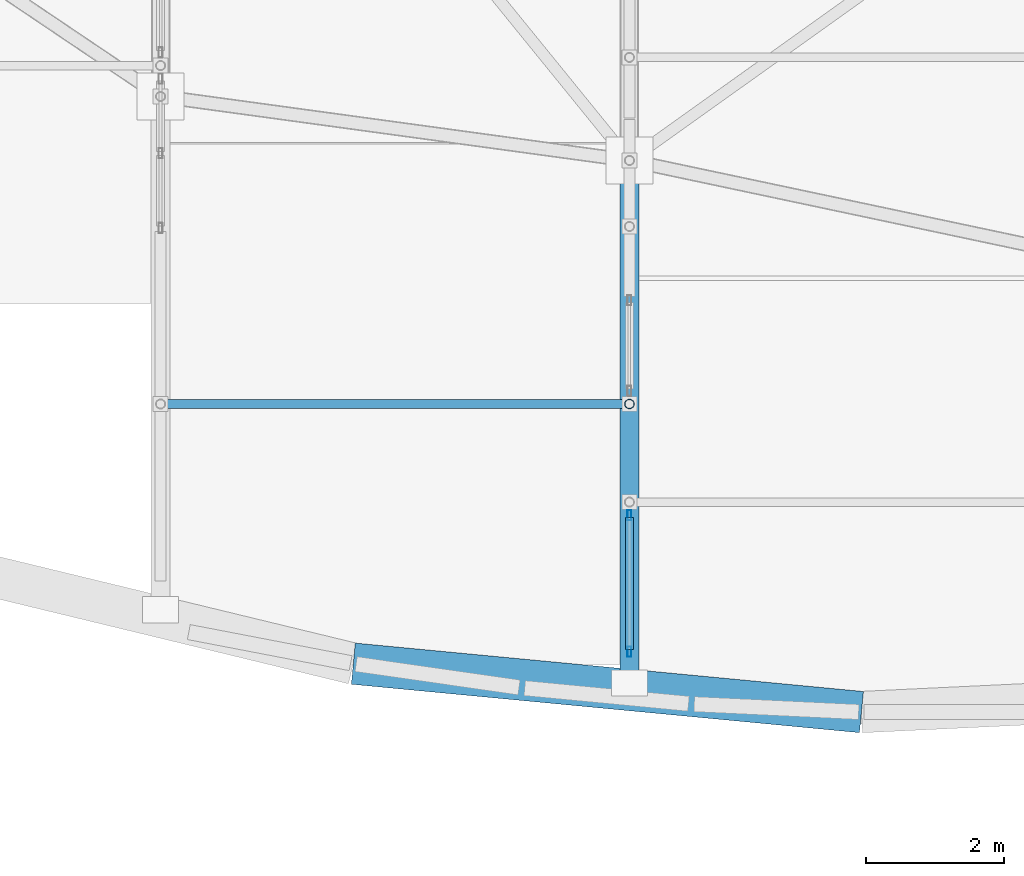
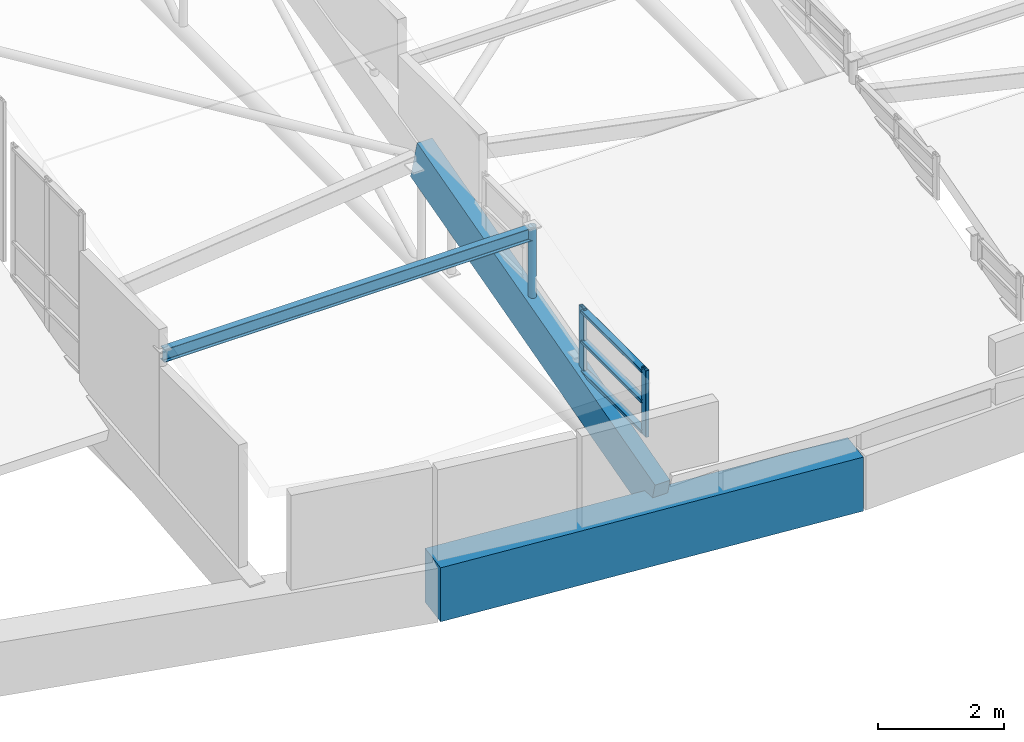
# One storey, part 5 of 188: 8 members, 1 beam, 1 element without a shape of its own.
"""IFC4 building model written with IfcOpenShell, lengths in metres."""

from ifc_helpers import new_model, si_unit, direction, frame, origin, origin_2d, place, context, subcontext, project, spatial, rectangle, hollow_rectangle, hollow_circle, i_section, extrude, material, layer, layer_set, material_profile, profile_set, type_object, element, aggregate, save


model = new_model("IFC4")

# Units and contexts
model_context = context("Model", 3, precision=1e-05, world=origin(), true_north=direction((0.0, 1.0)))
body_context = subcontext(model_context, "Body", "Model", "MODEL_VIEW")
ifc_project = project(units=[si_unit("LENGTHUNIT", "METRE"), si_unit("AREAUNIT", "SQUARE_METRE"), si_unit("VOLUMEUNIT", "CUBIC_METRE"), si_unit("PLANEANGLEUNIT", "RADIAN"), si_unit("MASSUNIT", "GRAM", prefix="KILO")], contexts=[model_context])

# Site, building, storey
site_placement = place(None, origin())
site = spatial("IfcSite", under=ifc_project, at=site_placement, CompositionType="ELEMENT")
building_placement = place(site_placement, origin())
building = spatial("IfcBuilding", under=site, at=building_placement, Name="Kisaragi Civic Commons", CompositionType="ELEMENT")
storey_placement = place(building_placement, frame((0.0, 0.0, 9.60009765625)))
storey = spatial("IfcBuildingStorey", under=building, at=storey_placement, Name="L02", CompositionType="ELEMENT", Elevation=9.60009765625)

# Curtain wall, members
ifc_material_1 = material(Name="Thermally broken anodized aluminium and low-E double glazing", Category="aluminium")
ifc_layer = layer(ifc_material_1, 0.14990234375, Name="Thermally broken anodized aluminium and low-E double glazing", Category="aluminium")
ifc_layer_set = layer_set([ifc_layer], Name="Thermally broken anodized aluminium and low-E double glazing")
curtain_wall_type = type_object("IfcCurtainWallType", Name="CW-03", PredefinedType="NOTDEFINED", material=ifc_layer_set)
curtain_wall_placement = place(storey_placement, origin())
curtain_wall = element("IfcCurtainWall", 1, at=curtain_wall_placement, inside=storey, type_object=curtain_wall_type, Name="L02 curtain wall CW-03 CW-CL-V1-153", PredefinedType="NOTDEFINED")
ifc_material_profile_1 = material_profile(ifc_material_1, hollow_rectangle(XDim=0.06005859375, YDim=0.14990234375, WallThickness=0.00390625, InnerFilletRadius=0.00390625, OuterFilletRadius=0.008056640625, at=origin_2d()), Name="CWM-60x150x4", Category="aluminium")
ifc_profile_set_1 = profile_set([ifc_material_profile_1], Name="Thermally broken anodized aluminium and low-E double glazing")
member_type_1 = type_object("IfcMemberType", Name="CWM-01", PredefinedType="MULLION", material=ifc_profile_set_1)
member_1_placement = place(storey_placement, frame((20.39990234375, 2.2314453125, 0.568115234375), z_axis=(0.0, 0.0, 1.0), x_axis=(-1.0, 0.0, 0.0)))
member_1 = element("IfcMember", 2, at=member_1_placement, type_object=member_type_1, Name="CW-03 mullion 1", PredefinedType="MULLION", context=body_context, shape_type="SweptSolid", body=[
    extrude(hollow_rectangle(XDim=0.06005859375, YDim=0.14990234375, WallThickness=0.00390625, InnerFilletRadius=0.00390625, OuterFilletRadius=0.008056640625, at=origin_2d()), origin(), (0.0, 0.0, 1.0), 1.2939453125),
])
member_2_placement = place(storey_placement, frame((20.39990234375, 4.211181640625, 0.568115234375), z_axis=(0.0, 0.0, 1.0), x_axis=(-1.0, 0.0, 0.0)))
member_2 = element("IfcMember", 3, at=member_2_placement, type_object=member_type_1, Name="CW-03 mullion 2", PredefinedType="MULLION", context=body_context, shape_type="SweptSolid", body=[
    extrude(hollow_rectangle(XDim=0.06005859375, YDim=0.14990234375, WallThickness=0.00390625, InnerFilletRadius=0.00390625, OuterFilletRadius=0.008056640625, at=origin_2d()), origin(), (0.0, 0.0, 1.0), 1.2939453125),
])
ifc_material_profile_2 = material_profile(ifc_material_1, hollow_rectangle(XDim=0.1201171875, YDim=0.06005859375, WallThickness=0.00390625, InnerFilletRadius=0.00390625, OuterFilletRadius=0.008056640625, at=origin_2d()), Name="CWT-60x120x4", Category="aluminium")
ifc_profile_set_2 = profile_set([ifc_material_profile_2], Name="Thermally broken anodized aluminium and low-E double glazing")
member_type_2 = type_object("IfcMemberType", Name="CWT-01", PredefinedType="USERDEFINED", material=ifc_profile_set_2)
member_3_placement = place(storey_placement, frame((20.39990234375, 2.261474609375, 0.628173828125), z_axis=(0.0, 1.0, 0.0), x_axis=(-1.0, 0.0, 0.0)))
member_3 = element("IfcMember", 4, at=member_3_placement, type_object=member_type_2, Name="CW-03 transom 1.1", ObjectType="TRANSOM", PredefinedType="USERDEFINED", context=body_context, shape_type="SweptSolid", body=[
    extrude(hollow_rectangle(XDim=0.1201171875, YDim=0.06005859375, WallThickness=0.00390625, InnerFilletRadius=0.00390625, OuterFilletRadius=0.008056640625, at=origin_2d()), origin(), (0.0, 0.0, 1.0), 1.919921875),
])
member_4_placement = place(storey_placement, frame((20.39990234375, 2.261474609375, 1.215087890625), z_axis=(0.0, 1.0, 0.0), x_axis=(-1.0, 0.0, 0.0)))
member_4 = element("IfcMember", 5, at=member_4_placement, type_object=member_type_2, Name="CW-03 transom 1.2", ObjectType="TRANSOM", PredefinedType="USERDEFINED", context=body_context, shape_type="SweptSolid", body=[
    extrude(hollow_rectangle(XDim=0.1201171875, YDim=0.06005859375, WallThickness=0.00390625, InnerFilletRadius=0.00390625, OuterFilletRadius=0.008056640625, at=origin_2d()), origin(), (0.0, 0.0, 1.0), 1.919921875),
])
member_5_placement = place(storey_placement, frame((20.39990234375, 2.261474609375, 1.802001953125), z_axis=(0.0, 1.0, 0.0), x_axis=(-1.0, 0.0, 0.0)))
member_5 = element("IfcMember", 6, at=member_5_placement, type_object=member_type_2, Name="CW-03 transom 1.3", ObjectType="TRANSOM", PredefinedType="USERDEFINED", context=body_context, shape_type="SweptSolid", body=[
    extrude(hollow_rectangle(XDim=0.1201171875, YDim=0.06005859375, WallThickness=0.00390625, InnerFilletRadius=0.00390625, OuterFilletRadius=0.008056640625, at=origin_2d()), origin(), (0.0, 0.0, 1.0), 1.919921875),
])
aggregate(curtain_wall, [member_1, member_2, member_3, member_4, member_5])

# Beam
ifc_material_2 = material(Name="Concrete Fc36", Category="concrete")
ifc_material_profile_3 = material_profile(ifc_material_2, rectangle(XDim=0.60009765625, YDim=1.050048828125, at=origin_2d()), Name="RC-600x1050", Category="concrete")
ifc_profile_set_3 = profile_set([ifc_material_profile_3], Name="Concrete Fc36")
beam_type = type_object("IfcBeamType", Name="G-06", PredefinedType="BEAM", material=ifc_profile_set_3)
beam_placement = place(storey_placement, frame((16.3955078125, 2.058349609375, -0.84521484375), z_axis=(0.995491914651, -0.094846443601, 0.0), x_axis=(0.094846443601, 0.995491914651, 0.0)))
element("IfcBeam", 7, at=beam_placement, inside=storey, type_object=beam_type, Name="L02 curved spandrel/ring girder G-06 264", PredefinedType="BEAM", context=body_context, shape_type="SweptSolid", body=[
    extrude(rectangle(XDim=0.60009765625, YDim=1.050048828125, at=origin_2d()), origin(), (0.0, 0.0, 1.0), 7.403076171875),
])

# Members
ifc_material_3 = material(Name="Glulam E120-F330", Category="wood")
ifc_material_profile_4 = material_profile(ifc_material_3, rectangle(XDim=0.280029296875, YDim=0.81005859375, at=origin_2d()), Name="GL-280x810", Category="wood")
ifc_profile_set_4 = profile_set([ifc_material_profile_4], Name="Glulam E120-F330")
member_type_3 = type_object("IfcMemberType", Name="GR-01", PredefinedType="RAFTER", material=ifc_profile_set_4)
member_6_placement = place(storey_placement, frame((20.39990234375, 1.780029296875, -0.415283203125), z_axis=(0.0, 0.96493437287, 0.262491249481), x_axis=(-1.0, 0.0, 0.0)))
element("IfcMember", 8, at=member_6_placement, inside=storey, type_object=member_type_3, Name="V1 glulam arch rib GR-01 25", PredefinedType="RAFTER", context=body_context, shape_type="SweptSolid", body=[
    extrude(rectangle(XDim=0.280029296875, YDim=0.81005859375, at=origin_2d()), origin(), (0.0, 0.0, 1.0), 7.852783203125),
])
ifc_material_4 = material(Name="Steel SN400 (SN400B)", Category="steel")
ifc_material_profile_5 = material_profile(ifc_material_4, i_section(OverallWidth=0.125, OverallDepth=0.25, WebThickness=0.006103515625, FlangeThickness=0.009033203125, FilletRadius=0.008056640625, at=origin_2d()), Name="H-250x125x6x9", Category="steel")
ifc_profile_set_5 = profile_set([ifc_material_profile_5], Name="Steel SN400 (SN400B)")
member_type_4 = type_object("IfcMemberType", Name="PR-01", PredefinedType="PURLIN", material=ifc_profile_set_5)
member_7_placement = place(storey_placement, frame((13.60009765625, 5.824462890625, 2.336181640625), z_axis=(1.0, 0.0, 0.0), x_axis=(0.0, 1.0, 0.0)))
element("IfcMember", 9, at=member_7_placement, inside=storey, type_object=member_type_4, Name="V1 wave vault steel purlin 17", PredefinedType="PURLIN", context=body_context, shape_type="SweptSolid", body=[
    extrude(i_section(OverallWidth=0.125, OverallDepth=0.25, WebThickness=0.006103515625, FlangeThickness=0.009033203125, FilletRadius=0.008056640625, at=origin_2d()), origin(), (0.0, 0.0, 1.0), 6.7998046875),
])
ifc_material_5 = material(Name="Steel SN490 (SN490B)", Category="steel")
ifc_material_profile_6 = material_profile(ifc_material_5, hollow_circle(Radius=0.06982421875, WallThickness=0.006103515625, at=origin_2d()), Name="CHS-139.8x6.0", Category="steel")
ifc_profile_set_6 = profile_set([ifc_material_profile_6], Name="Steel SN490 (SN490B)")
member_type_5 = type_object("IfcMemberType", Name="ST-H1", PredefinedType="STRUT", material=ifc_profile_set_6)
member_8_placement = place(storey_placement, frame((20.39990234375, 5.824462890625, 0.684814453125), z_axis=(0.0, 0.0, 1.0), x_axis=(1.0, 0.0, 0.0)))
element("IfcMember", 10, at=member_8_placement, inside=storey, type_object=member_type_5, Name="V1 clerestory monitor horizontal tie strut 3.3.1", PredefinedType="STRUT", context=body_context, shape_type="SweptSolid", body=[
    extrude(hollow_circle(Radius=0.06982421875, WallThickness=0.006103515625, at=origin_2d()), origin(), (0.0, 0.0, 1.0), 1.7763671875),
])

save(model, "model.ifc")
